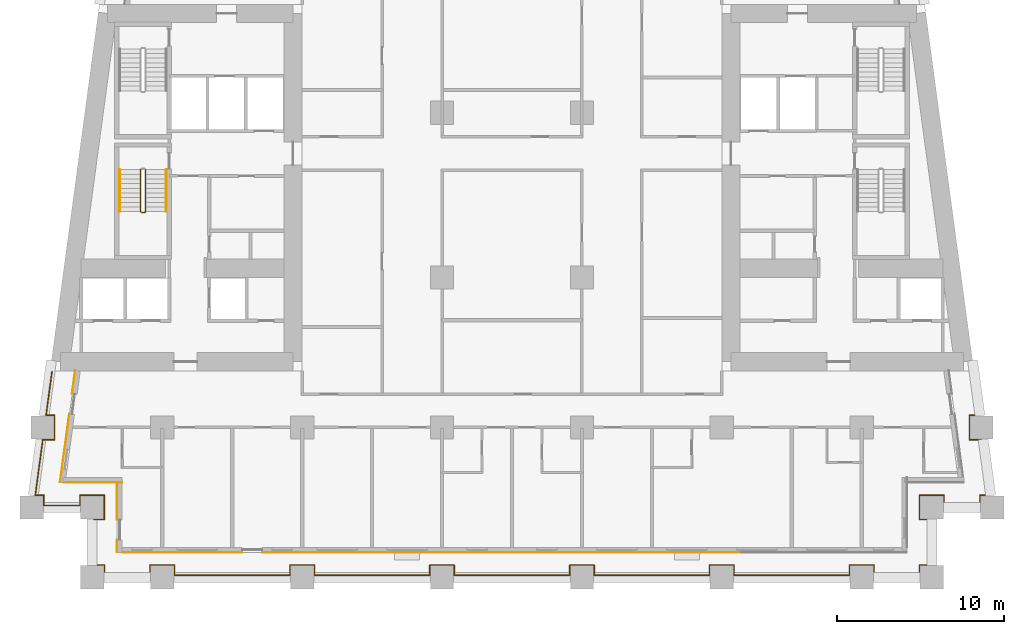
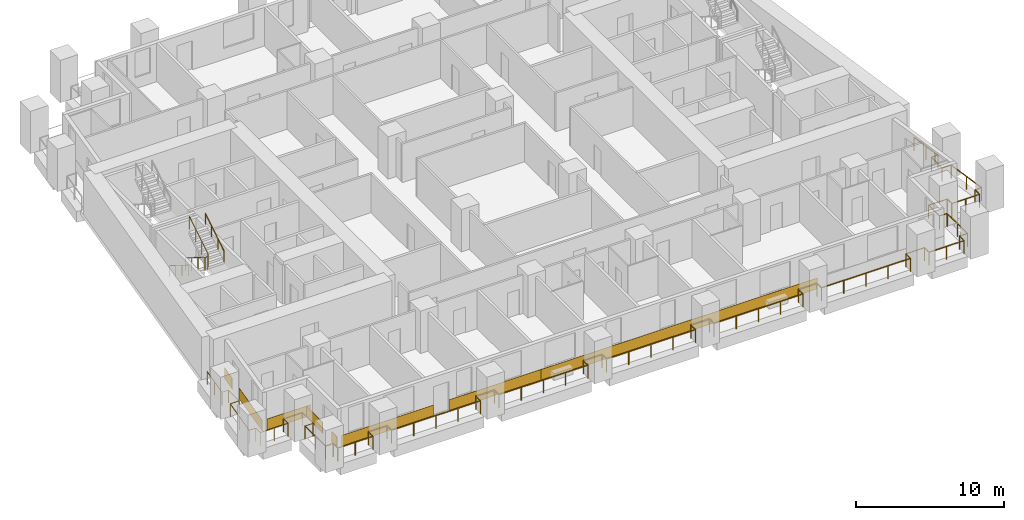
# One storey, part 8 of 12: 8 coverings, 5 railings.
"""IFC4 building model written with IfcOpenShell, lengths in metres."""

from ifc_helpers import new_model, si_unit, direction, frame, origin, origin_2d, place, context, subcontext, project, spatial, rectangle, circle, extrude, material, layer, layer_set, type_object, element, save


model = new_model("IFC4")

# Units and contexts
model_context = context("Model", 3, precision=1e-05, world=origin(), true_north=direction((0.0, 1.0)))
body_context = subcontext(model_context, "Body", "Model", "MODEL_VIEW")
ifc_project = project(units=[si_unit("LENGTHUNIT", "METRE"), si_unit("AREAUNIT", "SQUARE_METRE"), si_unit("VOLUMEUNIT", "CUBIC_METRE"), si_unit("PLANEANGLEUNIT", "RADIAN"), si_unit("MASSUNIT", "GRAM", prefix="KILO")], contexts=[model_context])

# Site, building, storey
site_placement = place(None, origin())
site = spatial("IfcSite", under=ifc_project, at=site_placement, CompositionType="ELEMENT")
building_placement = place(site_placement, origin())
building = spatial("IfcBuilding", under=site, at=building_placement, Name="Candeia Pilgrim Tower and Theatre", CompositionType="ELEMENT")
storey_placement = place(building_placement, frame((0.0, 0.0, 42.5)))
storey = spatial("IfcBuildingStorey", under=building, at=storey_placement, Name="L07", CompositionType="ELEMENT", Elevation=42.5)

# Railings
ifc_material_1 = material(Name="Stainless steel balustrade", Category="steel")
railing_type_1 = type_object("IfcRailingType", Name="G1 loggia guard 1100", PredefinedType="GUARDRAIL", material=ifc_material_1)
railing_1_placement = place(storey_placement, frame((88.320068359375, 101.469970703125, 0.0)))
element("IfcRailing", 1, at=railing_1_placement, inside=storey, type_object=railing_type_1, Name="Guard L07.1", PredefinedType="GUARDRAIL", context=body_context, shape_type="SweptSolid", body=[
    extrude(circle(Radius=0.02392578125, at=origin_2d()), frame((0.0, 0.0, 1.076171875), z_axis=(1.0, 0.0, 0.0), x_axis=(0.0, 1.0, 0.0)), (0.0, 0.0, 1.0), 0.60986328125),
    extrude(circle(Radius=0.02392578125, at=origin_2d()), frame((0.60986328125, 0.0, 1.076171875), z_axis=(0.0, 1.0, 0.0), x_axis=(-1.0, 0.0, 0.0)), (0.0, 0.0, 1.0), 1.4599609375),
    extrude(circle(Radius=0.02392578125, at=origin_2d()), frame((0.60986328125, 1.4599609375, 1.076171875), z_axis=(-1.0, 0.0, 0.0), x_axis=(0.0, -1.0, 0.0)), (0.0, 0.0, 1.0), 1.4599609375),
    extrude(circle(Radius=0.02392578125, at=origin_2d()), frame((-0.85009765625, 1.4599609375, 1.076171875), z_axis=(0.0, -1.0, 0.0), x_axis=(1.0, 0.0, 0.0)), (0.0, 0.0, 1.0), 0.60986328125),
    extrude(circle(Radius=0.02392578125, at=origin_2d()), frame((-0.85009765625, 0.85009765625, 1.076171875), z_axis=(-1.0, 0.0, 0.0), x_axis=(0.0, -1.0, 0.0)), (0.0, 0.0, 1.0), 2.174560546875),
    extrude(circle(Radius=0.02392578125, at=origin_2d()), frame((-3.024658203125, 0.85009765625, 1.076171875), z_axis=(0.0, 1.0, 0.0), x_axis=(-1.0, 0.0, 0.0)), (0.0, 0.0, 1.0), 0.60986328125),
    extrude(circle(Radius=0.02392578125, at=origin_2d()), frame((-3.024658203125, 1.4599609375, 1.076171875), z_axis=(-1.0, 0.0, 0.0), x_axis=(0.0, -1.0, 0.0)), (0.0, 0.0, 1.0), 0.5107421875),
    extrude(circle(Radius=0.02392578125, at=origin_2d()), frame((-3.535400390625, 1.4599609375, 1.076171875), z_axis=(0.133435273035, 0.991057530071, 0.0), x_axis=(-0.991057530071, 0.133435273035, 0.0)), (0.0, 0.0, 1.0), 3.3701171875),
    extrude(circle(Radius=0.02392578125, at=origin_2d()), frame((-3.085693359375, 4.800048828125, 1.076171875), z_axis=(1.0, 0.0, 0.0), x_axis=(0.0, 1.0, 0.0)), (0.0, 0.0, 1.0), 0.707275390625),
    extrude(circle(Radius=0.02392578125, at=origin_2d()), frame((-2.37841796875, 4.800048828125, 1.076171875), z_axis=(0.0, 1.0, 0.0), x_axis=(-1.0, 0.0, 0.0)), (0.0, 0.0, 1.0), 1.4599609375),
    extrude(circle(Radius=0.02392578125, at=origin_2d()), frame((-2.37841796875, 6.260009765625, 1.076171875), z_axis=(-1.0, 0.0, 0.0), x_axis=(0.0, -1.0, 0.0)), (0.0, 0.0, 1.0), 0.5107421875),
    extrude(circle(Radius=0.02392578125, at=origin_2d()), frame((-2.88916015625, 6.260009765625, 1.076171875), z_axis=(0.133439920495, 0.991056904329, 0.0), x_axis=(-0.991056904329, 0.133439920495, 0.0)), (0.0, 0.0, 1.0), 2.643798828125),
    extrude(circle(Radius=0.02099609375, at=origin_2d()), origin(), (0.0, 0.0, 1.0), 1.052001953125),
    extrude(circle(Radius=0.02099609375, at=origin_2d()), frame((0.60986328125, 0.0, 0.0)), (0.0, 0.0, 1.0), 1.052001953125),
    extrude(circle(Radius=0.02099609375, at=origin_2d()), frame((0.60986328125, 1.4599609375, 0.0)), (0.0, 0.0, 1.0), 1.052001953125),
    extrude(circle(Radius=0.02099609375, at=origin_2d()), frame((-0.85009765625, 1.4599609375, 0.0)), (0.0, 0.0, 1.0), 1.052001953125),
    extrude(circle(Radius=0.02099609375, at=origin_2d()), frame((-0.85009765625, 0.85009765625, 0.0)), (0.0, 0.0, 1.0), 1.052001953125),
    extrude(circle(Radius=0.02099609375, at=origin_2d()), frame((-1.9375, 0.85009765625, 0.0)), (0.0, 0.0, 1.0), 1.052001953125),
    extrude(circle(Radius=0.02099609375, at=origin_2d()), frame((-3.024658203125, 0.85009765625, 0.0)), (0.0, 0.0, 1.0), 1.052001953125),
    extrude(circle(Radius=0.02099609375, at=origin_2d()), frame((-3.024658203125, 1.4599609375, 0.0)), (0.0, 0.0, 1.0), 1.052001953125),
    extrude(circle(Radius=0.02099609375, at=origin_2d()), frame((-3.535400390625, 1.4599609375, 0.0)), (0.0, 0.0, 1.0), 1.052001953125),
    extrude(circle(Radius=0.02099609375, at=origin_2d()), frame((-3.310546875, 3.1298828125, 0.0)), (0.0, 0.0, 1.0), 1.052001953125),
    extrude(circle(Radius=0.02099609375, at=origin_2d()), frame((-3.085693359375, 4.800048828125, 0.0)), (0.0, 0.0, 1.0), 1.052001953125),
    extrude(circle(Radius=0.02099609375, at=origin_2d()), frame((-2.37841796875, 4.800048828125, 0.0)), (0.0, 0.0, 1.0), 1.052001953125),
    extrude(circle(Radius=0.02099609375, at=origin_2d()), frame((-2.37841796875, 6.260009765625, 0.0)), (0.0, 0.0, 1.0), 1.052001953125),
    extrude(circle(Radius=0.02099609375, at=origin_2d()), frame((-2.88916015625, 6.260009765625, 0.0)), (0.0, 0.0, 1.0), 1.052001953125),
    extrude(circle(Radius=0.02099609375, at=origin_2d()), frame((-2.712890625, 7.570068359375, 0.0)), (0.0, 0.0, 1.0), 1.052001953125),
    extrude(circle(Radius=0.02099609375, at=origin_2d()), frame((-2.536376953125, 8.880126953125, 0.0)), (0.0, 0.0, 1.0), 1.052001953125),
])
railing_2_placement = place(storey_placement, frame((141.016357421875, 110.35009765625, 0.0)))
element("IfcRailing", 2, at=railing_2_placement, inside=storey, type_object=railing_type_1, Name="Guard L07.4", PredefinedType="GUARDRAIL", context=body_context, shape_type="SweptSolid", body=[
    extrude(circle(Radius=0.02392578125, at=origin_2d()), frame((0.0, 0.0, 1.076171875), z_axis=(0.133439920495, -0.991056904329, 0.0), x_axis=(0.991056904329, 0.133439920495, 0.0)), (0.0, 0.0, 1.0), 2.643798828125),
    extrude(circle(Radius=0.02392578125, at=origin_2d()), frame((0.352783203125, -2.6201171875, 1.076171875), z_axis=(-1.0, 0.0, 0.0), x_axis=(0.0, -1.0, 0.0)), (0.0, 0.0, 1.0), 0.5107421875),
    extrude(circle(Radius=0.02392578125, at=origin_2d()), frame((-0.157958984375, -2.6201171875, 1.076171875), z_axis=(0.0, -1.0, 0.0), x_axis=(1.0, 0.0, 0.0)), (0.0, 0.0, 1.0), 1.4599609375),
    extrude(circle(Radius=0.02392578125, at=origin_2d()), frame((-0.157958984375, -4.080078125, 1.076171875), z_axis=(1.0, 0.0, 0.0), x_axis=(0.0, 1.0, 0.0)), (0.0, 0.0, 1.0), 0.707275390625),
    extrude(circle(Radius=0.02392578125, at=origin_2d()), frame((0.54931640625, -4.080078125, 1.076171875), z_axis=(0.133435273035, -0.991057530071, 0.0), x_axis=(0.991057530071, 0.133435273035, 0.0)), (0.0, 0.0, 1.0), 3.3701171875),
    extrude(circle(Radius=0.02392578125, at=origin_2d()), frame((0.9990234375, -7.420166015625, 1.076171875), z_axis=(-1.0, 0.0, 0.0), x_axis=(0.0, -1.0, 0.0)), (0.0, 0.0, 1.0), 0.5107421875),
    extrude(circle(Radius=0.02392578125, at=origin_2d()), frame((0.48828125, -7.420166015625, 1.076171875), z_axis=(0.0, -1.0, 0.0), x_axis=(1.0, 0.0, 0.0)), (0.0, 0.0, 1.0), 0.60986328125),
    extrude(circle(Radius=0.02392578125, at=origin_2d()), frame((0.48828125, -8.030029296875, 1.076171875), z_axis=(-1.0, 0.0, 0.0), x_axis=(0.0, -1.0, 0.0)), (0.0, 0.0, 1.0), 2.174560546875),
    extrude(circle(Radius=0.02392578125, at=origin_2d()), frame((-1.686279296875, -8.030029296875, 1.076171875), z_axis=(0.0, 1.0, 0.0), x_axis=(-1.0, 0.0, 0.0)), (0.0, 0.0, 1.0), 0.60986328125),
    extrude(circle(Radius=0.02392578125, at=origin_2d()), frame((-1.686279296875, -7.420166015625, 1.076171875), z_axis=(-1.0, 0.0, 0.0), x_axis=(0.0, -1.0, 0.0)), (0.0, 0.0, 1.0), 1.4599609375),
    extrude(circle(Radius=0.02392578125, at=origin_2d()), frame((-3.146240234375, -7.420166015625, 1.076171875), z_axis=(0.0, -1.0, 0.0), x_axis=(1.0, 0.0, 0.0)), (0.0, 0.0, 1.0), 1.4599609375),
    extrude(circle(Radius=0.02392578125, at=origin_2d()), frame((-3.146240234375, -8.880126953125, 1.076171875), z_axis=(1.0, 0.0, 0.0), x_axis=(0.0, 1.0, 0.0)), (0.0, 0.0, 1.0), 0.60986328125),
    extrude(circle(Radius=0.02392578125, at=origin_2d()), frame((-2.536376953125, -8.880126953125, 1.076171875), z_axis=(0.0, -1.0, 0.0), x_axis=(1.0, 0.0, 0.0)), (0.0, 0.0, 1.0), 2.739990234375),
    extrude(circle(Radius=0.02392578125, at=origin_2d()), frame((-2.536376953125, -11.6201171875, 1.076171875), z_axis=(-1.0, 0.0, 0.0), x_axis=(0.0, -1.0, 0.0)), (0.0, 0.0, 1.0), 0.60986328125),
    extrude(circle(Radius=0.02392578125, at=origin_2d()), frame((-3.146240234375, -11.6201171875, 1.076171875), z_axis=(0.0, -1.0, 0.0), x_axis=(1.0, 0.0, 0.0)), (0.0, 0.0, 1.0), 0.60986328125),
    extrude(circle(Radius=0.02392578125, at=origin_2d()), frame((-3.146240234375, -12.22998046875, 1.076171875), z_axis=(-1.0, 0.0, 0.0), x_axis=(0.0, -1.0, 0.0)), (0.0, 0.0, 1.0), 2.740234375),
    extrude(circle(Radius=0.02392578125, at=origin_2d()), frame((-5.886474609375, -12.22998046875, 1.076171875), z_axis=(0.0, 1.0, 0.0), x_axis=(-1.0, 0.0, 0.0)), (0.0, 0.0, 1.0), 0.60986328125),
    extrude(circle(Radius=0.02392578125, at=origin_2d()), frame((-5.886474609375, -11.6201171875, 1.076171875), z_axis=(-1.0, 0.0, 0.0), x_axis=(0.0, -1.0, 0.0)), (0.0, 0.0, 1.0), 1.4599609375),
    extrude(circle(Radius=0.02392578125, at=origin_2d()), frame((-7.346435546875, -11.6201171875, 1.076171875), z_axis=(0.0, -1.0, 0.0), x_axis=(1.0, 0.0, 0.0)), (0.0, 0.0, 1.0), 0.60986328125),
    extrude(circle(Radius=0.02392578125, at=origin_2d()), frame((-7.346435546875, -12.22998046875, 1.076171875), z_axis=(-1.0, 0.0, 0.0), x_axis=(0.0, -1.0, 0.0)), (0.0, 0.0, 1.0), 6.93994140625),
    extrude(circle(Radius=0.02392578125, at=origin_2d()), frame((-14.286376953125, -12.22998046875, 1.076171875), z_axis=(0.0, 1.0, 0.0), x_axis=(-1.0, 0.0, 0.0)), (0.0, 0.0, 1.0), 0.60986328125),
    extrude(circle(Radius=0.02392578125, at=origin_2d()), frame((-14.286376953125, -11.6201171875, 1.076171875), z_axis=(-1.0, 0.0, 0.0), x_axis=(0.0, -1.0, 0.0)), (0.0, 0.0, 1.0), 1.4599609375),
    extrude(circle(Radius=0.02392578125, at=origin_2d()), frame((-15.746337890625, -11.6201171875, 1.076171875), z_axis=(0.0, -1.0, 0.0), x_axis=(1.0, 0.0, 0.0)), (0.0, 0.0, 1.0), 0.60986328125),
    extrude(circle(Radius=0.02392578125, at=origin_2d()), frame((-15.746337890625, -12.22998046875, 1.076171875), z_axis=(-1.0, 0.0, 0.0), x_axis=(0.0, -1.0, 0.0)), (0.0, 0.0, 1.0), 6.93994140625),
    extrude(circle(Radius=0.02392578125, at=origin_2d()), frame((-22.686279296875, -12.22998046875, 1.076171875), z_axis=(0.0, 1.0, 0.0), x_axis=(-1.0, 0.0, 0.0)), (0.0, 0.0, 1.0), 0.60986328125),
    extrude(circle(Radius=0.02392578125, at=origin_2d()), frame((-22.686279296875, -11.6201171875, 1.076171875), z_axis=(-1.0, 0.0, 0.0), x_axis=(0.0, -1.0, 0.0)), (0.0, 0.0, 1.0), 1.4599609375),
    extrude(circle(Radius=0.02392578125, at=origin_2d()), frame((-24.146240234375, -11.6201171875, 1.076171875), z_axis=(0.0, -1.0, 0.0), x_axis=(1.0, 0.0, 0.0)), (0.0, 0.0, 1.0), 0.60986328125),
    extrude(circle(Radius=0.02392578125, at=origin_2d()), frame((-24.146240234375, -12.22998046875, 1.076171875), z_axis=(-1.0, 0.0, 0.0), x_axis=(0.0, -1.0, 0.0)), (0.0, 0.0, 1.0), 6.940185546875),
    extrude(circle(Radius=0.02392578125, at=origin_2d()), frame((-31.08642578125, -12.22998046875, 1.076171875), z_axis=(0.0, 1.0, 0.0), x_axis=(-1.0, 0.0, 0.0)), (0.0, 0.0, 1.0), 0.60986328125),
    extrude(circle(Radius=0.02392578125, at=origin_2d()), frame((-31.08642578125, -11.6201171875, 1.076171875), z_axis=(-1.0, 0.0, 0.0), x_axis=(0.0, -1.0, 0.0)), (0.0, 0.0, 1.0), 1.4599609375),
    extrude(circle(Radius=0.02392578125, at=origin_2d()), frame((-32.54638671875, -11.6201171875, 1.076171875), z_axis=(0.0, -1.0, 0.0), x_axis=(1.0, 0.0, 0.0)), (0.0, 0.0, 1.0), 0.60986328125),
    extrude(circle(Radius=0.02392578125, at=origin_2d()), frame((-32.54638671875, -12.22998046875, 1.076171875), z_axis=(-1.0, 0.0, 0.0), x_axis=(0.0, -1.0, 0.0)), (0.0, 0.0, 1.0), 6.93994140625),
    extrude(circle(Radius=0.02392578125, at=origin_2d()), frame((-39.486328125, -12.22998046875, 1.076171875), z_axis=(0.0, 1.0, 0.0), x_axis=(-1.0, 0.0, 0.0)), (0.0, 0.0, 1.0), 0.60986328125),
    extrude(circle(Radius=0.02392578125, at=origin_2d()), frame((-39.486328125, -11.6201171875, 1.076171875), z_axis=(-1.0, 0.0, 0.0), x_axis=(0.0, -1.0, 0.0)), (0.0, 0.0, 1.0), 1.4599609375),
    extrude(circle(Radius=0.02392578125, at=origin_2d()), frame((-40.9462890625, -11.6201171875, 1.076171875), z_axis=(0.0, -1.0, 0.0), x_axis=(1.0, 0.0, 0.0)), (0.0, 0.0, 1.0), 0.60986328125),
    extrude(circle(Radius=0.02392578125, at=origin_2d()), frame((-40.9462890625, -12.22998046875, 1.076171875), z_axis=(-1.0, 0.0, 0.0), x_axis=(0.0, -1.0, 0.0)), (0.0, 0.0, 1.0), 6.940185546875),
    extrude(circle(Radius=0.02392578125, at=origin_2d()), frame((-47.886474609375, -12.22998046875, 1.076171875), z_axis=(0.0, 1.0, 0.0), x_axis=(-1.0, 0.0, 0.0)), (0.0, 0.0, 1.0), 0.60986328125),
    extrude(circle(Radius=0.02392578125, at=origin_2d()), frame((-47.886474609375, -11.6201171875, 1.076171875), z_axis=(-1.0, 0.0, 0.0), x_axis=(0.0, -1.0, 0.0)), (0.0, 0.0, 1.0), 1.4599609375),
    extrude(circle(Radius=0.02392578125, at=origin_2d()), frame((-49.346435546875, -11.6201171875, 1.076171875), z_axis=(0.0, -1.0, 0.0), x_axis=(1.0, 0.0, 0.0)), (0.0, 0.0, 1.0), 0.60986328125),
    extrude(circle(Radius=0.02392578125, at=origin_2d()), frame((-49.346435546875, -12.22998046875, 1.076171875), z_axis=(-1.0, 0.0, 0.0), x_axis=(0.0, -1.0, 0.0)), (0.0, 0.0, 1.0), 2.739990234375),
    extrude(circle(Radius=0.02392578125, at=origin_2d()), frame((-52.08642578125, -12.22998046875, 1.076171875), z_axis=(0.0, 1.0, 0.0), x_axis=(-1.0, 0.0, 0.0)), (0.0, 0.0, 1.0), 0.60986328125),
    extrude(circle(Radius=0.02392578125, at=origin_2d()), frame((-52.08642578125, -11.6201171875, 1.076171875), z_axis=(-1.0, 0.0, 0.0), x_axis=(0.0, -1.0, 0.0)), (0.0, 0.0, 1.0), 0.60986328125),
    extrude(circle(Radius=0.02392578125, at=origin_2d()), frame((-52.6962890625, -11.6201171875, 1.076171875), z_axis=(0.0, 1.0, 0.0), x_axis=(-1.0, 0.0, 0.0)), (0.0, 0.0, 1.0), 2.739990234375),
    extrude(circle(Radius=0.02099609375, at=origin_2d()), origin(), (0.0, 0.0, 1.0), 1.052001953125),
    extrude(circle(Radius=0.02099609375, at=origin_2d()), frame((0.17626953125, -1.31005859375, 0.0)), (0.0, 0.0, 1.0), 1.052001953125),
    extrude(circle(Radius=0.02099609375, at=origin_2d()), frame((0.352783203125, -2.6201171875, 0.0)), (0.0, 0.0, 1.0), 1.052001953125),
    extrude(circle(Radius=0.02099609375, at=origin_2d()), frame((-0.157958984375, -2.6201171875, 0.0)), (0.0, 0.0, 1.0), 1.052001953125),
    extrude(circle(Radius=0.02099609375, at=origin_2d()), frame((-0.157958984375, -4.080078125, 0.0)), (0.0, 0.0, 1.0), 1.052001953125),
    extrude(circle(Radius=0.02099609375, at=origin_2d()), frame((0.54931640625, -4.080078125, 0.0)), (0.0, 0.0, 1.0), 1.052001953125),
    extrude(circle(Radius=0.02099609375, at=origin_2d()), frame((0.774169921875, -5.75, 0.0)), (0.0, 0.0, 1.0), 1.052001953125),
    extrude(circle(Radius=0.02099609375, at=origin_2d()), frame((0.9990234375, -7.420166015625, 0.0)), (0.0, 0.0, 1.0), 1.052001953125),
    extrude(circle(Radius=0.02099609375, at=origin_2d()), frame((0.48828125, -7.420166015625, 0.0)), (0.0, 0.0, 1.0), 1.052001953125),
    extrude(circle(Radius=0.02099609375, at=origin_2d()), frame((0.48828125, -8.030029296875, 0.0)), (0.0, 0.0, 1.0), 1.052001953125),
    extrude(circle(Radius=0.02099609375, at=origin_2d()), frame((-0.59912109375, -8.030029296875, 0.0)), (0.0, 0.0, 1.0), 1.052001953125),
    extrude(circle(Radius=0.02099609375, at=origin_2d()), frame((-1.686279296875, -8.030029296875, 0.0)), (0.0, 0.0, 1.0), 1.052001953125),
    extrude(circle(Radius=0.02099609375, at=origin_2d()), frame((-1.686279296875, -7.420166015625, 0.0)), (0.0, 0.0, 1.0), 1.052001953125),
    extrude(circle(Radius=0.02099609375, at=origin_2d()), frame((-3.146240234375, -7.420166015625, 0.0)), (0.0, 0.0, 1.0), 1.052001953125),
    extrude(circle(Radius=0.02099609375, at=origin_2d()), frame((-3.146240234375, -8.880126953125, 0.0)), (0.0, 0.0, 1.0), 1.052001953125),
    extrude(circle(Radius=0.02099609375, at=origin_2d()), frame((-2.536376953125, -8.880126953125, 0.0)), (0.0, 0.0, 1.0), 1.052001953125),
    extrude(circle(Radius=0.02099609375, at=origin_2d()), frame((-2.536376953125, -10.25, 0.0)), (0.0, 0.0, 1.0), 1.052001953125),
    extrude(circle(Radius=0.02099609375, at=origin_2d()), frame((-2.536376953125, -11.6201171875, 0.0)), (0.0, 0.0, 1.0), 1.052001953125),
    extrude(circle(Radius=0.02099609375, at=origin_2d()), frame((-3.146240234375, -11.6201171875, 0.0)), (0.0, 0.0, 1.0), 1.052001953125),
    extrude(circle(Radius=0.02099609375, at=origin_2d()), frame((-3.146240234375, -12.22998046875, 0.0)), (0.0, 0.0, 1.0), 1.052001953125),
    extrude(circle(Radius=0.02099609375, at=origin_2d()), frame((-4.516357421875, -12.22998046875, 0.0)), (0.0, 0.0, 1.0), 1.052001953125),
    extrude(circle(Radius=0.02099609375, at=origin_2d()), frame((-5.886474609375, -12.22998046875, 0.0)), (0.0, 0.0, 1.0), 1.052001953125),
    extrude(circle(Radius=0.02099609375, at=origin_2d()), frame((-5.886474609375, -11.6201171875, 0.0)), (0.0, 0.0, 1.0), 1.052001953125),
    extrude(circle(Radius=0.02099609375, at=origin_2d()), frame((-7.346435546875, -11.6201171875, 0.0)), (0.0, 0.0, 1.0), 1.052001953125),
    extrude(circle(Radius=0.02099609375, at=origin_2d()), frame((-7.346435546875, -12.22998046875, 0.0)), (0.0, 0.0, 1.0), 1.052001953125),
    extrude(circle(Radius=0.02099609375, at=origin_2d()), frame((-9.08154296875, -12.22998046875, 0.0)), (0.0, 0.0, 1.0), 1.052001953125),
    extrude(circle(Radius=0.02099609375, at=origin_2d()), frame((-10.81640625, -12.22998046875, 0.0)), (0.0, 0.0, 1.0), 1.052001953125),
    extrude(circle(Radius=0.02099609375, at=origin_2d()), frame((-12.55126953125, -12.22998046875, 0.0)), (0.0, 0.0, 1.0), 1.052001953125),
    extrude(circle(Radius=0.02099609375, at=origin_2d()), frame((-14.286376953125, -12.22998046875, 0.0)), (0.0, 0.0, 1.0), 1.052001953125),
    extrude(circle(Radius=0.02099609375, at=origin_2d()), frame((-14.286376953125, -11.6201171875, 0.0)), (0.0, 0.0, 1.0), 1.052001953125),
    extrude(circle(Radius=0.02099609375, at=origin_2d()), frame((-15.746337890625, -11.6201171875, 0.0)), (0.0, 0.0, 1.0), 1.052001953125),
    extrude(circle(Radius=0.02099609375, at=origin_2d()), frame((-15.746337890625, -12.22998046875, 0.0)), (0.0, 0.0, 1.0), 1.052001953125),
    extrude(circle(Radius=0.02099609375, at=origin_2d()), frame((-17.4814453125, -12.22998046875, 0.0)), (0.0, 0.0, 1.0), 1.052001953125),
    extrude(circle(Radius=0.02099609375, at=origin_2d()), frame((-19.21630859375, -12.22998046875, 0.0)), (0.0, 0.0, 1.0), 1.052001953125),
    extrude(circle(Radius=0.02099609375, at=origin_2d()), frame((-20.951171875, -12.22998046875, 0.0)), (0.0, 0.0, 1.0), 1.052001953125),
    extrude(circle(Radius=0.02099609375, at=origin_2d()), frame((-22.686279296875, -12.22998046875, 0.0)), (0.0, 0.0, 1.0), 1.052001953125),
    extrude(circle(Radius=0.02099609375, at=origin_2d()), frame((-22.686279296875, -11.6201171875, 0.0)), (0.0, 0.0, 1.0), 1.052001953125),
    extrude(circle(Radius=0.02099609375, at=origin_2d()), frame((-24.146240234375, -11.6201171875, 0.0)), (0.0, 0.0, 1.0), 1.052001953125),
    extrude(circle(Radius=0.02099609375, at=origin_2d()), frame((-24.146240234375, -12.22998046875, 0.0)), (0.0, 0.0, 1.0), 1.052001953125),
    extrude(circle(Radius=0.02099609375, at=origin_2d()), frame((-25.88134765625, -12.22998046875, 0.0)), (0.0, 0.0, 1.0), 1.052001953125),
    extrude(circle(Radius=0.02099609375, at=origin_2d()), frame((-27.6162109375, -12.22998046875, 0.0)), (0.0, 0.0, 1.0), 1.052001953125),
    extrude(circle(Radius=0.02099609375, at=origin_2d()), frame((-29.351318359375, -12.22998046875, 0.0)), (0.0, 0.0, 1.0), 1.052001953125),
    extrude(circle(Radius=0.02099609375, at=origin_2d()), frame((-31.08642578125, -12.22998046875, 0.0)), (0.0, 0.0, 1.0), 1.052001953125),
    extrude(circle(Radius=0.02099609375, at=origin_2d()), frame((-31.08642578125, -11.6201171875, 0.0)), (0.0, 0.0, 1.0), 1.052001953125),
    extrude(circle(Radius=0.02099609375, at=origin_2d()), frame((-32.54638671875, -11.6201171875, 0.0)), (0.0, 0.0, 1.0), 1.052001953125),
    extrude(circle(Radius=0.02099609375, at=origin_2d()), frame((-32.54638671875, -12.22998046875, 0.0)), (0.0, 0.0, 1.0), 1.052001953125),
    extrude(circle(Radius=0.02099609375, at=origin_2d()), frame((-34.28125, -12.22998046875, 0.0)), (0.0, 0.0, 1.0), 1.052001953125),
    extrude(circle(Radius=0.02099609375, at=origin_2d()), frame((-36.016357421875, -12.22998046875, 0.0)), (0.0, 0.0, 1.0), 1.052001953125),
    extrude(circle(Radius=0.02099609375, at=origin_2d()), frame((-37.75146484375, -12.22998046875, 0.0)), (0.0, 0.0, 1.0), 1.052001953125),
    extrude(circle(Radius=0.02099609375, at=origin_2d()), frame((-39.486328125, -12.22998046875, 0.0)), (0.0, 0.0, 1.0), 1.052001953125),
    extrude(circle(Radius=0.02099609375, at=origin_2d()), frame((-39.486328125, -11.6201171875, 0.0)), (0.0, 0.0, 1.0), 1.052001953125),
    extrude(circle(Radius=0.02099609375, at=origin_2d()), frame((-40.9462890625, -11.6201171875, 0.0)), (0.0, 0.0, 1.0), 1.052001953125),
    extrude(circle(Radius=0.02099609375, at=origin_2d()), frame((-40.9462890625, -12.22998046875, 0.0)), (0.0, 0.0, 1.0), 1.052001953125),
    extrude(circle(Radius=0.02099609375, at=origin_2d()), frame((-42.681396484375, -12.22998046875, 0.0)), (0.0, 0.0, 1.0), 1.052001953125),
    extrude(circle(Radius=0.02099609375, at=origin_2d()), frame((-44.41650390625, -12.22998046875, 0.0)), (0.0, 0.0, 1.0), 1.052001953125),
    extrude(circle(Radius=0.02099609375, at=origin_2d()), frame((-46.1513671875, -12.22998046875, 0.0)), (0.0, 0.0, 1.0), 1.052001953125),
    extrude(circle(Radius=0.02099609375, at=origin_2d()), frame((-47.886474609375, -12.22998046875, 0.0)), (0.0, 0.0, 1.0), 1.052001953125),
    extrude(circle(Radius=0.02099609375, at=origin_2d()), frame((-47.886474609375, -11.6201171875, 0.0)), (0.0, 0.0, 1.0), 1.052001953125),
    extrude(circle(Radius=0.02099609375, at=origin_2d()), frame((-49.346435546875, -11.6201171875, 0.0)), (0.0, 0.0, 1.0), 1.052001953125),
    extrude(circle(Radius=0.02099609375, at=origin_2d()), frame((-49.346435546875, -12.22998046875, 0.0)), (0.0, 0.0, 1.0), 1.052001953125),
    extrude(circle(Radius=0.02099609375, at=origin_2d()), frame((-50.71630859375, -12.22998046875, 0.0)), (0.0, 0.0, 1.0), 1.052001953125),
    extrude(circle(Radius=0.02099609375, at=origin_2d()), frame((-52.08642578125, -12.22998046875, 0.0)), (0.0, 0.0, 1.0), 1.052001953125),
    extrude(circle(Radius=0.02099609375, at=origin_2d()), frame((-52.08642578125, -11.6201171875, 0.0)), (0.0, 0.0, 1.0), 1.052001953125),
    extrude(circle(Radius=0.02099609375, at=origin_2d()), frame((-52.6962890625, -11.6201171875, 0.0)), (0.0, 0.0, 1.0), 1.052001953125),
    extrude(circle(Radius=0.02099609375, at=origin_2d()), frame((-52.6962890625, -10.25, 0.0)), (0.0, 0.0, 1.0), 1.052001953125),
    extrude(circle(Radius=0.02099609375, at=origin_2d()), frame((-52.6962890625, -8.880126953125, 0.0)), (0.0, 0.0, 1.0), 1.052001953125),
])

# Coverings
ifc_material_2 = material(Name="Glazed ceramic tile deep red")
ifc_layer_1 = layer(ifc_material_2, 0.02001953125)
ifc_layer_set_1 = layer_set([ifc_layer_1], Name="Glazed ceramic tile deep red")
covering_type_1 = type_object("IfcCoveringType", Name="Glazed ceramic tile deep red", PredefinedType="CLADDING", material=ifc_layer_set_1)
covering_1_placement = place(storey_placement, frame((93.610107421875, 99.489990234375, 0.0), z_axis=(0.0, 0.0, 1.0), x_axis=(1.0, 0.0, 0.0)))
element("IfcCovering", 3, at=covering_1_placement, inside=storey, type_object=covering_type_1, Name="Tile cladding deep red L07", PredefinedType="CLADDING", context=body_context, shape_type="SweptSolid", body=[
    extrude(rectangle(XDim=7.179931640625, YDim=0.02001953125, at=origin_2d()), origin(), (0.0, 0.0, 1.0), 0.89990234375),
])
covering_2_placement = place(storey_placement, frame((102.0, 99.489990234375, 0.0), z_axis=(0.0, 0.0, 1.0), x_axis=(1.0, 0.0, 0.0)))
element("IfcCovering", 4, at=covering_2_placement, inside=storey, type_object=covering_type_1, Name="Tile cladding deep red L07", PredefinedType="CLADDING", context=body_context, shape_type="SweptSolid", body=[
    extrude(rectangle(XDim=7.199951171875, YDim=0.02001953125, at=origin_2d()), origin(), (0.0, 0.0, 1.0), 0.89990234375),
])
covering_3_placement = place(storey_placement, frame((87.0810546875, 109.71875, 0.0), z_axis=(0.0, 0.0, 1.0), x_axis=(-0.133412012145, -0.991060661622, 0.0)))
element("IfcCovering", 5, at=covering_3_placement, inside=storey, type_object=covering_type_1, Name="Tile cladding deep red L07", PredefinedType="CLADDING", context=body_context, shape_type="SweptSolid", body=[
    extrude(rectangle(XDim=1.41796875, YDim=0.02001953125, at=origin_2d()), origin(), (0.0, 0.0, 1.0), 0.89990234375),
])
covering_4_placement = place(storey_placement, frame((86.548583984375, 105.763916015625, 0.0), z_axis=(0.0, 0.0, 1.0), x_axis=(-0.133412012145, -0.991060661622, 0.0)))
element("IfcCovering", 6, at=covering_4_placement, inside=storey, type_object=covering_type_1, Name="Tile cladding deep red L07", PredefinedType="CLADDING", context=body_context, shape_type="SweptSolid", body=[
    extrude(rectangle(XDim=4.16259765625, YDim=0.02001953125, at=origin_2d()), origin(), (0.0, 0.0, 1.0), 0.89990234375),
])
covering_5_placement = place(storey_placement, frame((88.311279296875, 103.68994140625, 0.0), z_axis=(0.0, 0.0, 1.0), x_axis=(1.0, 0.0, 0.0)))
element("IfcCovering", 7, at=covering_5_placement, inside=storey, type_object=covering_type_1, Name="Tile cladding deep red L07", PredefinedType="CLADDING", context=body_context, shape_type="SweptSolid", body=[
    extrude(rectangle(XDim=3.377685546875, YDim=0.02001953125, at=origin_2d()), origin(), (0.0, 0.0, 1.0), 0.89990234375),
])
covering_6_placement = place(storey_placement, frame((89.68994140625, 102.56494140625, 0.0), z_axis=(0.0, 0.0, 1.0), x_axis=(0.0, -1.0, 0.0)))
element("IfcCovering", 8, at=covering_6_placement, inside=storey, type_object=covering_type_1, Name="Tile cladding deep red L07", PredefinedType="CLADDING", context=body_context, shape_type="SweptSolid", body=[
    extrude(rectangle(XDim=2.22998046875, YDim=0.02001953125, at=origin_2d()), origin(), (0.0, 0.0, 1.0), 0.89990234375),
])
covering_7_placement = place(storey_placement, frame((89.68994140625, 99.875, 0.0), z_axis=(0.0, 0.0, 1.0), x_axis=(0.0, -1.0, 0.0)))
element("IfcCovering", 9, at=covering_7_placement, inside=storey, type_object=covering_type_1, Name="Tile cladding deep red L07", PredefinedType="CLADDING", context=body_context, shape_type="SweptSolid", body=[
    extrude(rectangle(XDim=0.75, YDim=0.02001953125, at=origin_2d()), origin(), (0.0, 0.0, 1.0), 0.89990234375),
])
ifc_material_3 = material(Name="Glazed ceramic tile red")
ifc_layer_2 = layer(ifc_material_3, 0.02001953125)
ifc_layer_set_2 = layer_set([ifc_layer_2], Name="Glazed ceramic tile red")
covering_type_2 = type_object("IfcCoveringType", Name="Glazed ceramic tile red", PredefinedType="CLADDING", material=ifc_layer_set_2)
covering_8_placement = place(storey_placement, frame((116.39990234375, 99.489990234375, 0.0), z_axis=(0.0, 0.0, 1.0), x_axis=(1.0, 0.0, 0.0)))
element("IfcCovering", 10, at=covering_8_placement, inside=storey, type_object=covering_type_2, Name="Tile cladding red L07", PredefinedType="CLADDING", context=body_context, shape_type="SweptSolid", body=[
    extrude(rectangle(XDim=21.60009765625, YDim=0.02001953125, at=origin_2d()), origin(), (0.0, 0.0, 1.0), 0.89990234375),
])

# Railings
railing_type_2 = type_object("IfcRailingType", Name="RL-GUARD-1100", PredefinedType="GUARDRAIL", material=ifc_material_1)
railing_3_placement = place(storey_placement, frame((91.10205078125, 122.47509765625, 0.175048828125)))
element("IfcRailing", 11, at=railing_3_placement, inside=storey, type_object=railing_type_2, Name="L07 ST1 stair guard 1", PredefinedType="GUARDRAIL", context=body_context, shape_type="SweptSolid", body=[
    extrude(circle(Radius=0.02392578125, at=origin_2d()), frame((0.0, 0.0, 1.076171875), z_axis=(0.0, -0.848007534815, 0.529984170421), x_axis=(1.0, 0.0, 0.0)), (0.0, 0.0, 1.0), 2.9716796875),
    extrude(circle(Radius=0.02392578125, at=origin_2d()), frame((0.0, -2.52001953125, 2.65087890625), z_axis=(0.707106781187, -0.707106781187, 0.0), x_axis=(0.707106781187, 0.707106781187, 0.0)), (0.0, 0.0, 1.0), 0.07080078125),
    extrude(circle(Radius=0.02392578125, at=origin_2d()), frame((0.050048828125, -2.570068359375, 2.65087890625), z_axis=(1.0, 0.0, 0.0), x_axis=(0.0, 1.0, 0.0)), (0.0, 0.0, 1.0), 0.199951171875),
    extrude(circle(Radius=0.02392578125, at=origin_2d()), frame((0.25, -2.570068359375, 2.65087890625), z_axis=(0.265065253269, 0.265065253269, 0.927081885822), x_axis=(-0.707106781187, 0.707106781187, 0.0)), (0.0, 0.0, 1.0), 0.188720703125),
    extrude(circle(Radius=0.02392578125, at=origin_2d()), frame((0.300048828125, -2.52001953125, 2.826171875), z_axis=(0.0, 0.848007534815, 0.529984170421), x_axis=(-1.0, 0.0, 0.0)), (0.0, 0.0, 1.0), 2.9716796875),
    extrude(circle(Radius=0.02099609375, at=origin_2d()), origin(), (0.0, 0.0, 1.0), 1.052001953125),
    extrude(circle(Radius=0.02099609375, at=origin_2d()), frame((0.0, -0.840087890625, 0.52490234375)), (0.0, 0.0, 1.0), 1.052001953125),
    extrude(circle(Radius=0.02099609375, at=origin_2d()), frame((0.0, -1.679931640625, 1.050048828125)), (0.0, 0.0, 1.0), 1.052001953125),
    extrude(circle(Radius=0.02099609375, at=origin_2d()), frame((0.0, -2.52001953125, 1.574951171875)), (0.0, 0.0, 1.0), 1.052001953125),
    extrude(circle(Radius=0.02099609375, at=origin_2d()), frame((0.050048828125, -2.570068359375, 1.574951171875)), (0.0, 0.0, 1.0), 1.052001953125),
    extrude(circle(Radius=0.02099609375, at=origin_2d()), frame((0.25, -2.570068359375, 1.574951171875)), (0.0, 0.0, 1.0), 1.052001953125),
    extrude(circle(Radius=0.02099609375, at=origin_2d()), frame((0.300048828125, -2.52001953125, 1.75)), (0.0, 0.0, 1.0), 1.052001953125),
    extrude(circle(Radius=0.02099609375, at=origin_2d()), frame((0.300048828125, -1.679931640625, 2.27490234375)), (0.0, 0.0, 1.0), 1.052001953125),
    extrude(circle(Radius=0.02099609375, at=origin_2d()), frame((0.300048828125, -0.840087890625, 2.800048828125)), (0.0, 0.0, 1.0), 1.052001953125),
    extrude(circle(Radius=0.02099609375, at=origin_2d()), frame((0.300048828125, 0.0, 3.324951171875)), (0.0, 0.0, 1.0), 1.052001953125),
])
ifc_material_4 = material(Name="Stainless steel handrail", Category="steel")
railing_type_3 = type_object("IfcRailingType", Name="RL-HANDRAIL-900", PredefinedType="HANDRAIL", material=ifc_material_4)
railing_4_placement = place(storey_placement, frame((89.85205078125, 122.47509765625, 0.175048828125)))
element("IfcRailing", 12, at=railing_4_placement, inside=storey, type_object=railing_type_3, Name="L07 ST1 stair handrail 1", PredefinedType="HANDRAIL", context=body_context, shape_type="SweptSolid", body=[
    extrude(circle(Radius=0.02392578125, at=origin_2d()), frame((0.0, 0.0, 0.8759765625), z_axis=(0.0, -0.848007534815, 0.529984170421), x_axis=(1.0, 0.0, 0.0)), (0.0, 0.0, 1.0), 2.9716796875),
    extrude(circle(Radius=0.02099609375, at=origin_2d()), origin(), (0.0, 0.0, 1.0), 0.851806640625),
    extrude(circle(Radius=0.02099609375, at=origin_2d()), frame((0.0, -0.840087890625, 0.52490234375)), (0.0, 0.0, 1.0), 0.851806640625),
    extrude(circle(Radius=0.02099609375, at=origin_2d()), frame((0.0, -1.679931640625, 1.050048828125)), (0.0, 0.0, 1.0), 0.851806640625),
    extrude(circle(Radius=0.02099609375, at=origin_2d()), frame((0.0, -2.52001953125, 1.574951171875)), (0.0, 0.0, 1.0), 0.851806640625),
])
railing_5_placement = place(storey_placement, frame((92.652099609375, 119.955078125, 1.925048828125)))
element("IfcRailing", 13, at=railing_5_placement, inside=storey, type_object=railing_type_3, Name="L07 ST1 stair handrail 2", PredefinedType="HANDRAIL", context=body_context, shape_type="SweptSolid", body=[
    extrude(circle(Radius=0.02392578125, at=origin_2d()), frame((0.0, 0.0, 0.8759765625), z_axis=(0.0, 0.848007534815, 0.529984170421), x_axis=(-1.0, 0.0, 0.0)), (0.0, 0.0, 1.0), 2.9716796875),
    extrude(circle(Radius=0.02099609375, at=origin_2d()), origin(), (0.0, 0.0, 1.0), 0.851806640625),
    extrude(circle(Radius=0.02099609375, at=origin_2d()), frame((0.0, 0.840087890625, 0.52490234375)), (0.0, 0.0, 1.0), 0.851806640625),
    extrude(circle(Radius=0.02099609375, at=origin_2d()), frame((0.0, 1.679931640625, 1.050048828125)), (0.0, 0.0, 1.0), 0.851806640625),
    extrude(circle(Radius=0.02099609375, at=origin_2d()), frame((0.0, 2.52001953125, 1.574951171875)), (0.0, 0.0, 1.0), 0.851806640625),
])

save(model, "model.ifc")
